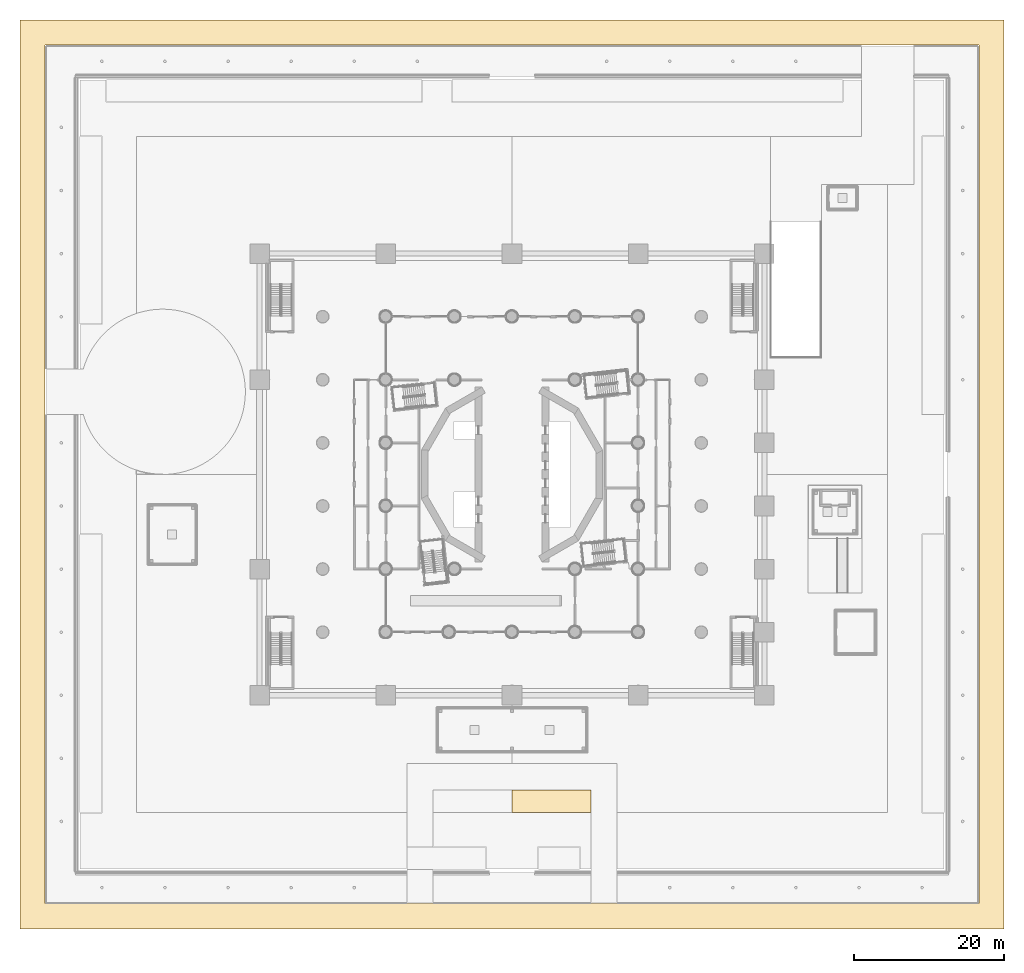
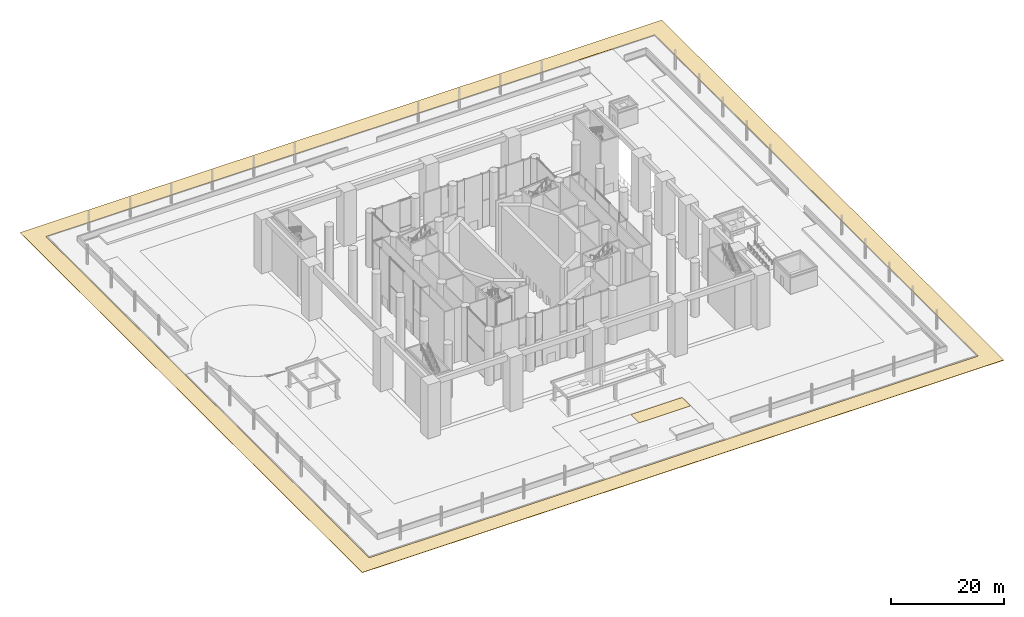
# One storey, part 31 of 52: 2 coverings.
"""IFC4 building model written with IfcOpenShell, lengths in metres."""

from ifc_helpers import new_model, si_unit, direction, origin, place, context, subcontext, project, spatial, polyline, outline, extrude, material, layer, layer_set, type_object, element, save


model = new_model("IFC4")

# Units and contexts
model_context = context("Model", 3, precision=1e-05, world=origin(), true_north=direction((0.0, 1.0)))
body_context = subcontext(model_context, "Body", "Model", "MODEL_VIEW")
ifc_project = project(units=[si_unit("LENGTHUNIT", "METRE"), si_unit("AREAUNIT", "SQUARE_METRE"), si_unit("VOLUMEUNIT", "CUBIC_METRE"), si_unit("PLANEANGLEUNIT", "RADIAN"), si_unit("MASSUNIT", "GRAM", prefix="KILO")], contexts=[model_context])

# Site, building, storey
site_placement = place(None, origin())
site = spatial("IfcSite", under=ifc_project, at=site_placement, CompositionType="ELEMENT")
building_placement = place(site_placement, origin())
building = spatial("IfcBuilding", under=site, at=building_placement, Name="Cantera Rosa Tower", CompositionType="ELEMENT")
storey_placement = place(building_placement, origin())
storey = spatial("IfcBuildingStorey", under=building, at=storey_placement, Name="L00", CompositionType="ELEMENT", Elevation=0.0)

# Coverings
ifc_material_1 = material(Name="Asphalt surfacing")
ifc_layer_1 = layer(ifc_material_1, 0.080078125)
ifc_layer_set_1 = layer_set([ifc_layer_1], Name="Carriageway surfacing 80")
covering_type_1 = type_object("IfcCoveringType", Name="Carriageway surfacing 80", PredefinedType="USERDEFINED", material=ifc_layer_set_1)
covering_1_placement = place(storey_placement, origin())
element("IfcCovering", 1, at=covering_1_placement, inside=storey, type_object=covering_type_1, Name="Carriageway surfacing", ObjectType="CARRIAGEWAY", PredefinedType="USERDEFINED", context=body_context, shape_type="SweptSolid", body=[
    extrude(outline(polyline([(-65.5, -60.5), (65.5, -60.5), (65.5, 60.5), (-65.5, 60.5), (-65.5, -60.5)]), holes=[polyline([(62.14990234375, 57.14990234375), (-62.14990234375, 57.14990234375), (-62.14990234375, -57.14990234375), (62.14990234375, -57.14990234375), (62.14990234375, 57.14990234375)])]), origin(), (0.0, 0.0, 1.0), 0.080078125),
])
ifc_material_2 = material(Name="Stone paving", Category="masonry")
ifc_layer_2 = layer(ifc_material_2, 0.0400390625)
ifc_layer_set_2 = layer_set([ifc_layer_2], Name="Plaza paving 40")
covering_type_2 = type_object("IfcCoveringType", Name="Plaza paving 40", PredefinedType="USERDEFINED", material=ifc_layer_set_2)
covering_2_placement = place(storey_placement, origin())
element("IfcCovering", 2, at=covering_2_placement, inside=storey, type_object=covering_type_2, Name="Plaza paving SE", ObjectType="PAVING", PredefinedType="USERDEFINED", context=body_context, shape_type="SweptSolid", body=[
    extrude(outline(polyline([(10.5, -42.0), (0.0, -42.0), (0.0, -45.0), (10.5, -45.0), (10.5, -42.0)])), origin(), (0.0, 0.0, 1.0), 0.0400390625),
])

save(model, "model.ifc")
